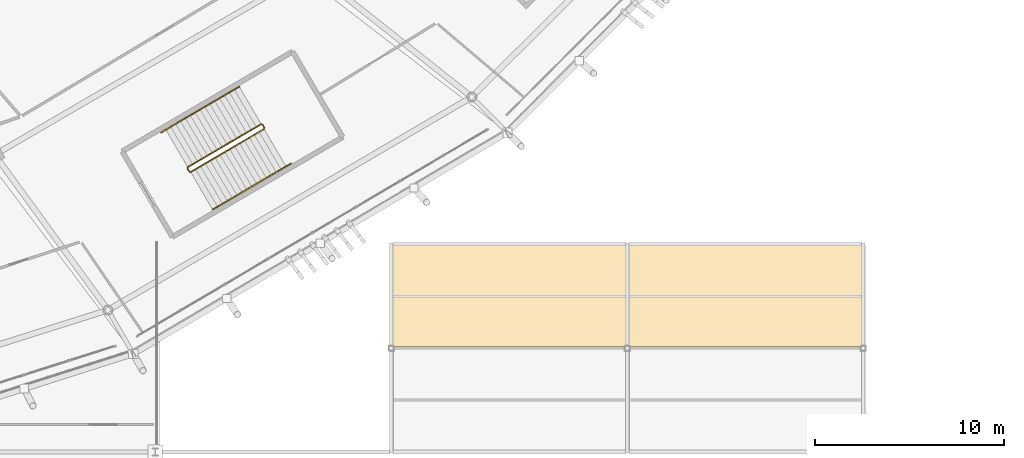
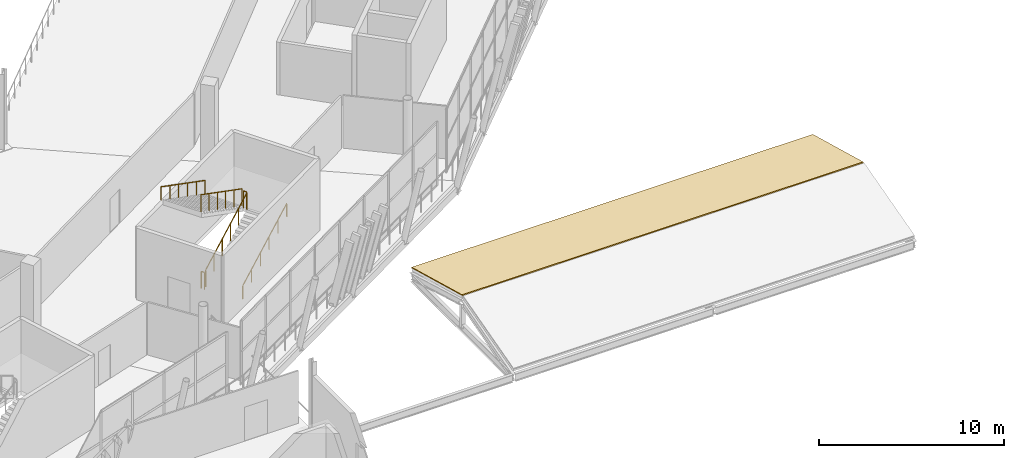
# One storey, part 161 of 179: 6 railings, 1 covering, 1 element without a shape of its own.
"""IFC4 building model written with IfcOpenShell, lengths in metres."""

from ifc_helpers import new_model, si_unit, direction, frame, origin, origin_2d, place, context, subcontext, project, spatial, polyline, rectangle, outline, extrude, material, layer, layer_set, type_object, element, aggregate, save


model = new_model("IFC4")

# Units and contexts
model_context = context("Model", 3, precision=1e-05, world=origin(), true_north=direction((0.0, 1.0)))
body_context = subcontext(model_context, "Body", "Model", "MODEL_VIEW")
ifc_project = project(units=[si_unit("LENGTHUNIT", "METRE"), si_unit("AREAUNIT", "SQUARE_METRE"), si_unit("VOLUMEUNIT", "CUBIC_METRE"), si_unit("PLANEANGLEUNIT", "RADIAN"), si_unit("MASSUNIT", "GRAM", prefix="KILO")], contexts=[model_context])

# Site, building, storey
site_placement = place(None, origin())
site = spatial("IfcSite", under=ifc_project, at=site_placement, CompositionType="ELEMENT")
building_placement = place(site_placement, origin())
building = spatial("IfcBuilding", under=site, at=building_placement, Name="Zlatoyarsky Gate Stadium", CompositionType="ELEMENT")
storey_placement = place(building_placement, frame((0.0, 0.0, 10.60009765625)))
storey = spatial("IfcBuildingStorey", under=building, at=storey_placement, Name="L02", CompositionType="ELEMENT", Elevation=10.60009765625)

# Railings
ifc_material_1 = material(Name="Powder-coated steel stair guardrail", Category="steel")
railing_type_1 = type_object("IfcRailingType", Name="PAINTED STEEL STAIR WELL GUARDRAIL 1150", PredefinedType="GUARDRAIL", material=ifc_material_1)
railing_1_placement = place(storey_placement, frame((161.8779296875, 25.8232421875, 0.15625)))
element("IfcRailing", 1, at=railing_1_placement, inside=storey, type_object=railing_type_1, Name="ST-11 L02 stair guard 1", PredefinedType="GUARDRAIL", context=body_context, shape_type="SweptSolid", body=[
    extrude(rectangle(XDim=0.048095703125, YDim=0.048095703125, at=origin_2d()), frame((0.0, 0.0, 1.1259765625), z_axis=(0.765266852459, 0.448314340063, 0.461931701685), x_axis=(-0.505475820858, 0.862840770089, 0.0)), (0.0, 0.0, 1.0), 5.07373046875),
    extrude(rectangle(XDim=0.0419921875, YDim=0.0419921875, at=origin_2d()), origin(), (0.0, 0.0, 1.0), 1.101806640625),
    extrude(rectangle(XDim=0.0419921875, YDim=0.0419921875, at=origin_2d()), frame((0.776611328125, 0.454833984375, 0.46875)), (0.0, 0.0, 1.0), 1.101806640625),
    extrude(rectangle(XDim=0.0419921875, YDim=0.0419921875, at=origin_2d()), frame((1.55322265625, 0.909912109375, 0.9375)), (0.0, 0.0, 1.0), 1.101806640625),
    extrude(rectangle(XDim=0.0419921875, YDim=0.0419921875, at=origin_2d()), frame((2.32958984375, 1.36474609375, 1.40625)), (0.0, 0.0, 1.0), 1.101806640625),
    extrude(rectangle(XDim=0.0419921875, YDim=0.0419921875, at=origin_2d()), frame((3.106201171875, 1.81982421875, 1.875)), (0.0, 0.0, 1.0), 1.101806640625),
    extrude(rectangle(XDim=0.0419921875, YDim=0.0419921875, at=origin_2d()), frame((3.8828125, 2.274658203125, 2.34375)), (0.0, 0.0, 1.0), 1.101806640625),
])
railing_2_placement = place(storey_placement, frame((165.778564453125, 28.166259765625, 2.5)))
element("IfcRailing", 2, at=railing_2_placement, inside=storey, type_object=railing_type_1, Name="ST-11 L02 stair guard 2", PredefinedType="GUARDRAIL", context=body_context, shape_type="SweptSolid", body=[
    extrude(rectangle(XDim=0.048095703125, YDim=0.048095703125, at=origin_2d()), frame((0.0, 0.0, 1.1259765625), z_axis=(-0.505312229679, 0.862936585467, 0.0), x_axis=(-0.862936585467, -0.505312229679, 0.0)), (0.0, 0.0, 1.0), 0.199951171875),
    extrude(rectangle(XDim=0.0419921875, YDim=0.0419921875, at=origin_2d()), origin(), (0.0, 0.0, 1.0), 1.101806640625),
    extrude(rectangle(XDim=0.0419921875, YDim=0.0419921875, at=origin_2d()), frame((-0.10107421875, 0.172607421875, 0.0)), (0.0, 0.0, 1.0), 1.101806640625),
])
railing_3_placement = place(storey_placement, frame((165.609130859375, 28.356689453125, 2.65625)))
element("IfcRailing", 3, at=railing_3_placement, inside=storey, type_object=railing_type_1, Name="ST-11 L02 stair guard 3", PredefinedType="GUARDRAIL", context=body_context, shape_type="SweptSolid", body=[
    extrude(rectangle(XDim=0.048095703125, YDim=0.048095703125, at=origin_2d()), frame((0.0, 0.0, 1.1259765625), z_axis=(-0.765266852459, -0.448314340063, 0.461931701685), x_axis=(0.505475820858, -0.862840770089, 0.0)), (0.0, 0.0, 1.0), 5.07373046875),
    extrude(rectangle(XDim=0.0419921875, YDim=0.0419921875, at=origin_2d()), origin(), (0.0, 0.0, 1.0), 1.101806640625),
    extrude(rectangle(XDim=0.0419921875, YDim=0.0419921875, at=origin_2d()), frame((-0.776611328125, -0.454833984375, 0.46875)), (0.0, 0.0, 1.0), 1.101806640625),
    extrude(rectangle(XDim=0.0419921875, YDim=0.0419921875, at=origin_2d()), frame((-1.55322265625, -0.909912109375, 0.9375)), (0.0, 0.0, 1.0), 1.101806640625),
    extrude(rectangle(XDim=0.0419921875, YDim=0.0419921875, at=origin_2d()), frame((-2.32958984375, -1.36474609375, 1.40625)), (0.0, 0.0, 1.0), 1.101806640625),
    extrude(rectangle(XDim=0.0419921875, YDim=0.0419921875, at=origin_2d()), frame((-3.106201171875, -1.81982421875, 1.875)), (0.0, 0.0, 1.0), 1.101806640625),
    extrude(rectangle(XDim=0.0419921875, YDim=0.0419921875, at=origin_2d()), frame((-3.8828125, -2.274658203125, 2.34375)), (0.0, 0.0, 1.0), 1.101806640625),
])
railing_4_placement = place(storey_placement, frame((161.809326171875, 25.841064453125, 0.0)))
element("IfcRailing", 4, at=railing_4_placement, inside=storey, type_object=railing_type_1, Name="ST-11 L02 stair guard 4", PredefinedType="GUARDRAIL", context=body_context, shape_type="SweptSolid", body=[
    extrude(rectangle(XDim=0.048095703125, YDim=0.048095703125, at=origin_2d()), frame((0.0, 0.0, 1.1259765625), z_axis=(-0.505312229679, 0.862936585467, 0.0), x_axis=(-0.862936585467, -0.505312229679, 0.0)), (0.0, 0.0, 1.0), 0.199951171875),
    extrude(rectangle(XDim=0.0419921875, YDim=0.0419921875, at=origin_2d()), origin(), (0.0, 0.0, 1.0), 1.101806640625),
    extrude(rectangle(XDim=0.0419921875, YDim=0.0419921875, at=origin_2d()), frame((-0.10107421875, 0.172607421875, 0.0)), (0.0, 0.0, 1.0), 1.101806640625),
])
ifc_material_2 = material(Name="Brushed stainless steel 316 handrail", Category="steel")
railing_type_2 = type_object("IfcRailingType", Name="STAINLESS STEEL TUBULAR HANDRAIL 900", PredefinedType="HANDRAIL", material=ifc_material_2)
railing_5_placement = place(storey_placement, frame((163.040283203125, 23.838623046875, 0.16015625)))
element("IfcRailing", 5, at=railing_5_placement, inside=storey, type_object=railing_type_2, Name="ST-11 L02 stair handrail 1", PredefinedType="HANDRAIL", context=body_context, shape_type="SweptSolid", body=[
    extrude(rectangle(XDim=0.048095703125, YDim=0.048095703125, at=origin_2d()), frame((0.0, 0.0, 0.8759765625), z_axis=(0.765282623084, 0.448298184981, 0.46192125319), x_axis=(-0.505454504659, 0.86285325735, 0.0)), (0.0, 0.0, 1.0), 5.412109375),
    extrude(rectangle(XDim=0.0419921875, YDim=0.0419921875, at=origin_2d()), origin(), (0.0, 0.0, 1.0), 0.851806640625),
    extrude(rectangle(XDim=0.0419921875, YDim=0.0419921875, at=origin_2d()), frame((0.828369140625, 0.4853515625, 0.5)), (0.0, 0.0, 1.0), 0.851806640625),
    extrude(rectangle(XDim=0.0419921875, YDim=0.0419921875, at=origin_2d()), frame((1.65673828125, 0.970458984375, 1.0)), (0.0, 0.0, 1.0), 0.851806640625),
    extrude(rectangle(XDim=0.0419921875, YDim=0.0419921875, at=origin_2d()), frame((2.485107421875, 1.455810546875, 1.5)), (0.0, 0.0, 1.0), 0.851806640625),
    extrude(rectangle(XDim=0.0419921875, YDim=0.0419921875, at=origin_2d()), frame((3.3134765625, 1.94091796875, 2.0)), (0.0, 0.0, 1.0), 0.851806640625),
    extrude(rectangle(XDim=0.0419921875, YDim=0.0419921875, at=origin_2d()), frame((4.141845703125, 2.42626953125, 2.5)), (0.0, 0.0, 1.0), 0.851806640625),
])
railing_6_placement = place(storey_placement, frame((164.446533203125, 30.34130859375, 2.66015625)))
element("IfcRailing", 6, at=railing_6_placement, inside=storey, type_object=railing_type_2, Name="ST-11 L02 stair handrail 2", PredefinedType="HANDRAIL", context=body_context, shape_type="SweptSolid", body=[
    extrude(rectangle(XDim=0.048095703125, YDim=0.048095703125, at=origin_2d()), frame((0.0, 0.0, 0.8759765625), z_axis=(-0.765282623084, -0.448298184981, 0.46192125319), x_axis=(0.505454504659, -0.86285325735, 0.0)), (0.0, 0.0, 1.0), 5.412109375),
    extrude(rectangle(XDim=0.0419921875, YDim=0.0419921875, at=origin_2d()), origin(), (0.0, 0.0, 1.0), 0.851806640625),
    extrude(rectangle(XDim=0.0419921875, YDim=0.0419921875, at=origin_2d()), frame((-0.828369140625, -0.4853515625, 0.5)), (0.0, 0.0, 1.0), 0.851806640625),
    extrude(rectangle(XDim=0.0419921875, YDim=0.0419921875, at=origin_2d()), frame((-1.65673828125, -0.970458984375, 1.0)), (0.0, 0.0, 1.0), 0.851806640625),
    extrude(rectangle(XDim=0.0419921875, YDim=0.0419921875, at=origin_2d()), frame((-2.485107421875, -1.455810546875, 1.5)), (0.0, 0.0, 1.0), 0.851806640625),
    extrude(rectangle(XDim=0.0419921875, YDim=0.0419921875, at=origin_2d()), frame((-3.3134765625, -1.94091796875, 2.0)), (0.0, 0.0, 1.0), 0.851806640625),
    extrude(rectangle(XDim=0.0419921875, YDim=0.0419921875, at=origin_2d()), frame((-4.141845703125, -2.42626953125, 2.5)), (0.0, 0.0, 1.0), 0.851806640625),
])

# Roof, covering
ifc_material_3 = material(Name="Standing-seam aluminium-zinc roofing with mineral wool insulation", Category="aluminium")
ifc_layer_1 = layer(ifc_material_3, 0.080078125)
ifc_layer_set_1 = layer_set([ifc_layer_1], Name="Standing-seam aluminium-zinc roofing with mineral wool insulation")
roof_type = type_object("IfcRoofType", Name="WINTER GARDEN PAVILION ROOF ASSEMBLY", PredefinedType="PAVILION_ROOF", material=ifc_layer_set_1)
roof_placement = place(storey_placement, origin())
roof = element("IfcRoof", 7, at=roof_placement, inside=storey, type_object=roof_type, Name="V6_SE pavilion roof", PredefinedType="PAVILION_ROOF")
ifc_layer_2 = layer(ifc_material_3, 0.06005859375)
ifc_layer_set_2 = layer_set([ifc_layer_2], Name="Standing-seam aluminium-zinc roofing with mineral wool insulation")
covering_type = type_object("IfcCoveringType", Name="STANDING SEAM ALUMINIUM ZINC ROOFING 60", PredefinedType="ROOFING", material=ifc_layer_set_2)
covering_placement = place(storey_placement, frame((197.5, 22.0, 0.059814453125), z_axis=(0.0, 0.263121064037, 0.964762823527), x_axis=(-1.0, 0.0, 0.0)))
covering = element("IfcCovering", 8, at=covering_placement, type_object=covering_type, Name="V6_SE standing seam roofing 2", PredefinedType="ROOFING", context=body_context, shape_type="SweptSolid", body=[
    extrude(outline(polyline([(0.0, 0.0), (25.0, 0.0), (25.0, 5.646981738949474), (0.0, 5.646981738949474), (0.0, 0.0)])), origin(), (0.0, 0.0, -1.0), 0.06005859375),
])
aggregate(roof, [covering])

save(model, "model.ifc")
